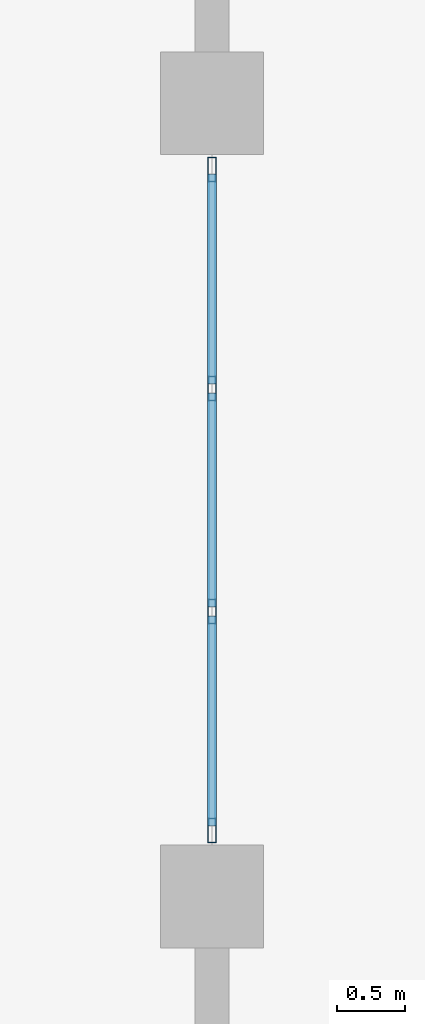
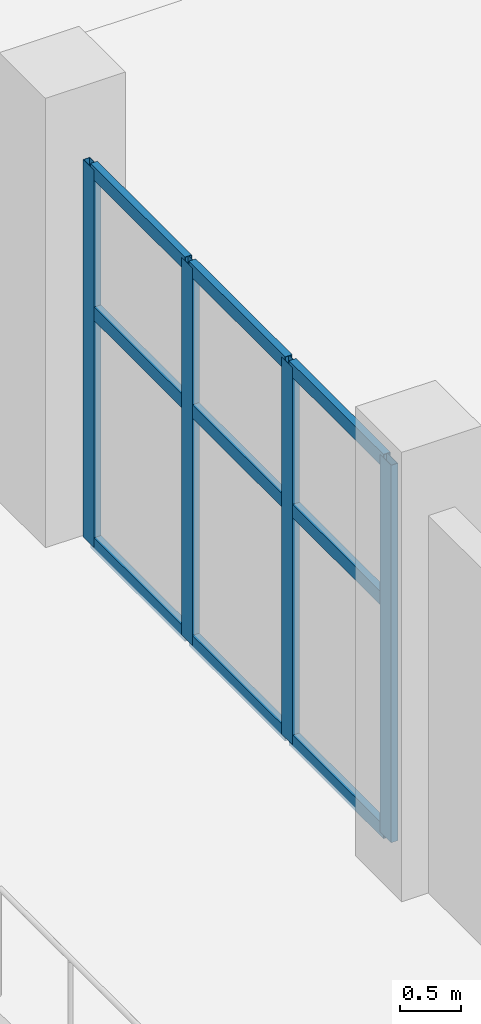
# One storey, part 43 of 132: 13 members, 1 element without a shape of its own.
"""IFC4 building model written with IfcOpenShell, lengths in metres."""

from ifc_helpers import new_model, si_unit, direction, frame, origin, origin_2d, place, context, subcontext, project, spatial, hollow_rectangle, extrude, material, material_profile, profile_set, type_object, element, aggregate, save


model = new_model("IFC4")

# Units and contexts
model_context = context("Model", 3, precision=1e-05, world=origin(), true_north=direction((0.0, 1.0)))
body_context = subcontext(model_context, "Body", "Model", "MODEL_VIEW")
ifc_project = project(units=[si_unit("LENGTHUNIT", "METRE"), si_unit("AREAUNIT", "SQUARE_METRE"), si_unit("VOLUMEUNIT", "CUBIC_METRE"), si_unit("PLANEANGLEUNIT", "RADIAN"), si_unit("MASSUNIT", "GRAM", prefix="KILO")], contexts=[model_context])

# Site, building, storey
site_placement = place(None, origin())
site = spatial("IfcSite", under=ifc_project, at=site_placement, CompositionType="ELEMENT")
building_placement = place(site_placement, origin())
building = spatial("IfcBuilding", under=site, at=building_placement, Name="Tanwirah Colonnade Gardens", CompositionType="ELEMENT")
storey_placement = place(building_placement, origin())
storey = spatial("IfcBuildingStorey", under=building, at=storey_placement, Name="L00", CompositionType="ELEMENT", Elevation=0.0)

# Curtain wall, members
ifc_material_1 = material(Name="Bronze-anodised aluminium and solar-control low-E glass", Category="aluminium")
curtain_wall_type = type_object("IfcCurtainWallType", Name="CW-HALL", PredefinedType="NOTDEFINED", material=ifc_material_1)
curtain_wall_placement = place(storey_placement, origin())
curtain_wall = element("IfcCurtainWall", 1, at=curtain_wall_placement, inside=storey, type_object=curtain_wall_type, Name="Curtain Wall CW-HALL-L00-W-6", PredefinedType="NOTDEFINED")
ifc_material_2 = material(Name="Bronze-anodised aluminium", Category="aluminium")
ifc_material_profile_1 = material_profile(ifc_material_2, hollow_rectangle(XDim=0.06494140625, YDim=0.179931640625, WallThickness=0.00390625, at=origin_2d()), Name="CW-MUL 65x180x4")
ifc_profile_set_1 = profile_set([ifc_material_profile_1], Name="Bronze-anodised aluminium")
member_type_1 = type_object("IfcMemberType", Name="CWM-65x180", PredefinedType="MULLION", material=ifc_profile_set_1)
member_1_placement = place(storey_placement, frame((78.0, 69.282470703125, 0.0), z_axis=(0.0, 0.0, 1.0), x_axis=(-1.0, 0.0, 0.0)))
member_1 = element("IfcMember", 2, at=member_1_placement, type_object=member_type_1, Name="CW-HALL mullion 1", PredefinedType="MULLION", context=body_context, shape_type="SweptSolid", body=[
    extrude(hollow_rectangle(XDim=0.06494140625, YDim=0.179931640625, WallThickness=0.00390625, at=origin_2d()), origin(), (0.0, 0.0, 1.0), 3.75),
])
member_2_placement = place(storey_placement, frame((78.0, 70.88330078125, 0.0), z_axis=(0.0, 0.0, 1.0), x_axis=(-1.0, 0.0, 0.0)))
member_2 = element("IfcMember", 3, at=member_2_placement, type_object=member_type_1, Name="CW-HALL mullion 2", PredefinedType="MULLION", context=body_context, shape_type="SweptSolid", body=[
    extrude(hollow_rectangle(XDim=0.06494140625, YDim=0.179931640625, WallThickness=0.00390625, at=origin_2d()), origin(), (0.0, 0.0, 1.0), 3.75),
])
member_3_placement = place(storey_placement, frame((78.0, 72.5166015625, 0.0), z_axis=(0.0, 0.0, 1.0), x_axis=(-1.0, 0.0, 0.0)))
member_3 = element("IfcMember", 4, at=member_3_placement, type_object=member_type_1, Name="CW-HALL mullion 3", PredefinedType="MULLION", context=body_context, shape_type="SweptSolid", body=[
    extrude(hollow_rectangle(XDim=0.06494140625, YDim=0.179931640625, WallThickness=0.00390625, at=origin_2d()), origin(), (0.0, 0.0, 1.0), 3.75),
])
member_4_placement = place(storey_placement, frame((78.0, 74.117431640625, 0.0), z_axis=(0.0, 0.0, 1.0), x_axis=(-1.0, 0.0, 0.0)))
member_4 = element("IfcMember", 5, at=member_4_placement, type_object=member_type_1, Name="CW-HALL mullion 4", PredefinedType="MULLION", context=body_context, shape_type="SweptSolid", body=[
    extrude(hollow_rectangle(XDim=0.06494140625, YDim=0.179931640625, WallThickness=0.00390625, at=origin_2d()), origin(), (0.0, 0.0, 1.0), 3.75),
])
ifc_material_profile_2 = material_profile(ifc_material_2, hollow_rectangle(XDim=0.06494140625, YDim=0.135009765625, WallThickness=0.00390625, at=origin_2d()), Name="CW-TRN 65x135x4")
ifc_profile_set_2 = profile_set([ifc_material_profile_2], Name="Bronze-anodised aluminium")
member_type_2 = type_object("IfcMemberType", Name="CWT-65x135", PredefinedType="USERDEFINED", material=ifc_profile_set_2)
member_5_placement = place(storey_placement, frame((78.0, 69.31494140625, 0.032470703125), z_axis=(0.0, 1.0, 0.0), x_axis=(-1.0, 0.0, 0.0)))
member_5 = element("IfcMember", 6, at=member_5_placement, type_object=member_type_2, Name="CW-HALL transom 1.1", ObjectType="TRANSOM", PredefinedType="USERDEFINED", context=body_context, shape_type="SweptSolid", body=[
    extrude(hollow_rectangle(XDim=0.06494140625, YDim=0.135009765625, WallThickness=0.00390625, at=origin_2d()), origin(), (0.0, 0.0, 1.0), 1.535888671875),
])
member_6_placement = place(storey_placement, frame((78.0, 69.31494140625, 2.324951171875), z_axis=(0.0, 1.0, 0.0), x_axis=(-1.0, 0.0, 0.0)))
member_6 = element("IfcMember", 7, at=member_6_placement, type_object=member_type_2, Name="CW-HALL transom 1.2", ObjectType="TRANSOM", PredefinedType="USERDEFINED", context=body_context, shape_type="SweptSolid", body=[
    extrude(hollow_rectangle(XDim=0.06494140625, YDim=0.135009765625, WallThickness=0.00390625, at=origin_2d()), origin(), (0.0, 0.0, 1.0), 1.535888671875),
])
member_7_placement = place(storey_placement, frame((78.0, 69.31494140625, 3.717529296875), z_axis=(0.0, 1.0, 0.0), x_axis=(-1.0, 0.0, 0.0)))
member_7 = element("IfcMember", 8, at=member_7_placement, type_object=member_type_2, Name="CW-HALL transom 1.3", ObjectType="TRANSOM", PredefinedType="USERDEFINED", context=body_context, shape_type="SweptSolid", body=[
    extrude(hollow_rectangle(XDim=0.06494140625, YDim=0.135009765625, WallThickness=0.00390625, at=origin_2d()), origin(), (0.0, 0.0, 1.0), 1.535888671875),
])
member_8_placement = place(storey_placement, frame((78.0, 70.915771484375, 0.032470703125), z_axis=(0.0, 1.0, 0.0), x_axis=(-1.0, 0.0, 0.0)))
member_8 = element("IfcMember", 9, at=member_8_placement, type_object=member_type_2, Name="CW-HALL transom 2.1", ObjectType="TRANSOM", PredefinedType="USERDEFINED", context=body_context, shape_type="SweptSolid", body=[
    extrude(hollow_rectangle(XDim=0.06494140625, YDim=0.135009765625, WallThickness=0.00390625, at=origin_2d()), origin(), (0.0, 0.0, 1.0), 1.568359375),
])
member_9_placement = place(storey_placement, frame((78.0, 70.915771484375, 2.324951171875), z_axis=(0.0, 1.0, 0.0), x_axis=(-1.0, 0.0, 0.0)))
member_9 = element("IfcMember", 10, at=member_9_placement, type_object=member_type_2, Name="CW-HALL transom 2.2", ObjectType="TRANSOM", PredefinedType="USERDEFINED", context=body_context, shape_type="SweptSolid", body=[
    extrude(hollow_rectangle(XDim=0.06494140625, YDim=0.135009765625, WallThickness=0.00390625, at=origin_2d()), origin(), (0.0, 0.0, 1.0), 1.568359375),
])
member_10_placement = place(storey_placement, frame((78.0, 70.915771484375, 3.717529296875), z_axis=(0.0, 1.0, 0.0), x_axis=(-1.0, 0.0, 0.0)))
member_10 = element("IfcMember", 11, at=member_10_placement, type_object=member_type_2, Name="CW-HALL transom 2.3", ObjectType="TRANSOM", PredefinedType="USERDEFINED", context=body_context, shape_type="SweptSolid", body=[
    extrude(hollow_rectangle(XDim=0.06494140625, YDim=0.135009765625, WallThickness=0.00390625, at=origin_2d()), origin(), (0.0, 0.0, 1.0), 1.568359375),
])
member_11_placement = place(storey_placement, frame((78.0, 72.549072265625, 0.032470703125), z_axis=(0.0, 1.0, 0.0), x_axis=(-1.0, 0.0, 0.0)))
member_11 = element("IfcMember", 12, at=member_11_placement, type_object=member_type_2, Name="CW-HALL transom 3.1", ObjectType="TRANSOM", PredefinedType="USERDEFINED", context=body_context, shape_type="SweptSolid", body=[
    extrude(hollow_rectangle(XDim=0.06494140625, YDim=0.135009765625, WallThickness=0.00390625, at=origin_2d()), origin(), (0.0, 0.0, 1.0), 1.535888671875),
])
member_12_placement = place(storey_placement, frame((78.0, 72.549072265625, 2.324951171875), z_axis=(0.0, 1.0, 0.0), x_axis=(-1.0, 0.0, 0.0)))
member_12 = element("IfcMember", 13, at=member_12_placement, type_object=member_type_2, Name="CW-HALL transom 3.2", ObjectType="TRANSOM", PredefinedType="USERDEFINED", context=body_context, shape_type="SweptSolid", body=[
    extrude(hollow_rectangle(XDim=0.06494140625, YDim=0.135009765625, WallThickness=0.00390625, at=origin_2d()), origin(), (0.0, 0.0, 1.0), 1.535888671875),
])
member_13_placement = place(storey_placement, frame((78.0, 72.549072265625, 3.717529296875), z_axis=(0.0, 1.0, 0.0), x_axis=(-1.0, 0.0, 0.0)))
member_13 = element("IfcMember", 14, at=member_13_placement, type_object=member_type_2, Name="CW-HALL transom 3.3", ObjectType="TRANSOM", PredefinedType="USERDEFINED", context=body_context, shape_type="SweptSolid", body=[
    extrude(hollow_rectangle(XDim=0.06494140625, YDim=0.135009765625, WallThickness=0.00390625, at=origin_2d()), origin(), (0.0, 0.0, 1.0), 1.535888671875),
])
aggregate(curtain_wall, [member_1, member_2, member_3, member_4, member_5, member_6, member_7, member_8, member_9, member_10, member_11, member_12, member_13])

save(model, "model.ifc")
